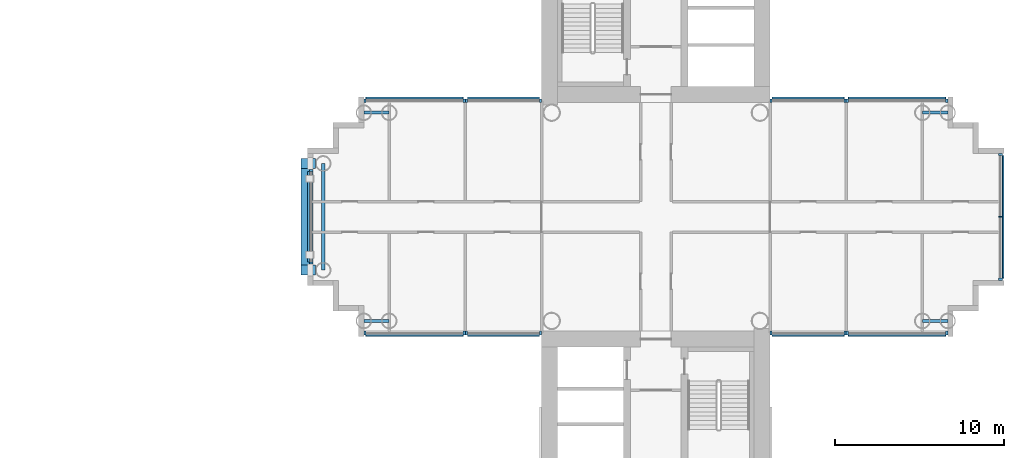
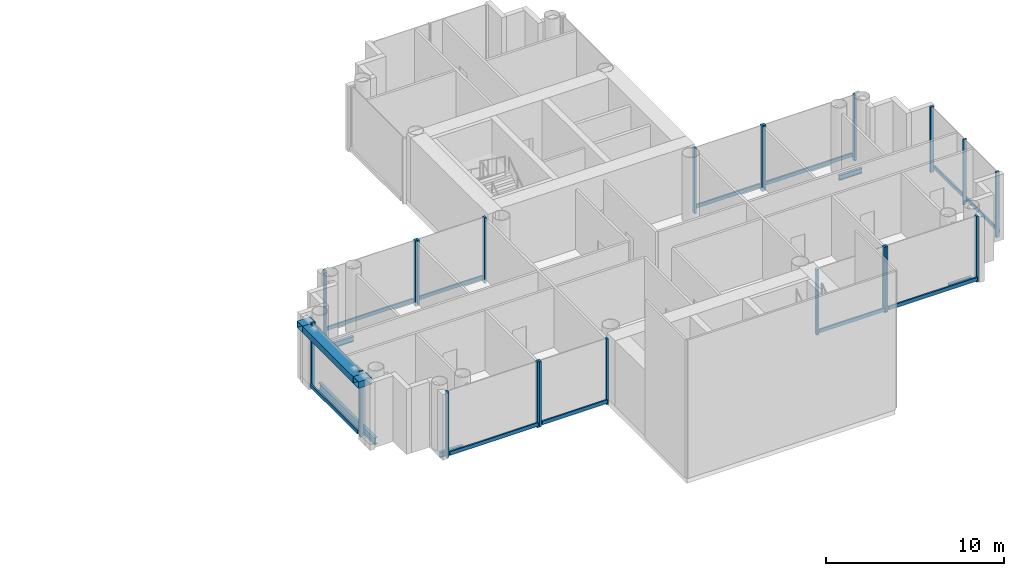
# One storey, part 6 of 20: 31 members, 8 beams, 10 elements without a shape of their own.
"""IFC4 building model written with IfcOpenShell, lengths in metres."""

from ifc_helpers import new_model, si_unit, direction, frame, origin, origin_2d, place, context, subcontext, project, spatial, rectangle, hollow_rectangle, i_section, extrude, material, layer, layer_set, material_profile, profile_set, type_object, element, aggregate, save


model = new_model("IFC4")

# Units and contexts
model_context = context("Model", 3, precision=1e-05, world=origin(), true_north=direction((0.0, 1.0)))
body_context = subcontext(model_context, "Body", "Model", "MODEL_VIEW")
ifc_project = project(units=[si_unit("LENGTHUNIT", "METRE"), si_unit("AREAUNIT", "SQUARE_METRE"), si_unit("VOLUMEUNIT", "CUBIC_METRE"), si_unit("PLANEANGLEUNIT", "RADIAN"), si_unit("MASSUNIT", "GRAM", prefix="KILO")], contexts=[model_context])

# Site, building, storey
site_placement = place(None, origin())
site = spatial("IfcSite", under=ifc_project, at=site_placement, CompositionType="ELEMENT")
building_placement = place(site_placement, origin())
building = spatial("IfcBuilding", under=site, at=building_placement, Name="Ipe Terrace Towers", CompositionType="ELEMENT")
storey_placement = place(building_placement, frame((0.0, 0.0, 124.199951171875)))
storey = spatial("IfcBuildingStorey", under=building, at=storey_placement, Name="L34", CompositionType="ELEMENT", Elevation=124.199951171875)

# Beams
ifc_material_1 = material(Name="Steel S355", Category="steel")
ifc_material_profile_1 = material_profile(ifc_material_1, hollow_rectangle(XDim=0.60009765625, YDim=0.449951171875, WallThickness=0.02490234375, at=origin_2d()), Name="BRIDGE-CORBEL BOX 600x450x25")
ifc_profile_set_1 = profile_set([ifc_material_profile_1], Name="Steel S355")
beam_type_1 = type_object("IfcBeamType", Name="BRIDGE-CORBEL BOX 600x450x25", PredefinedType="USERDEFINED", material=ifc_profile_set_1)
for number, where, z_axis, x_axis, name in (
    (1, (15.90087890625, -3.14990234375, 3.844970703125), (-1.0, 0.0, 0.0), (0.0, -1.0, 0.0), "BR2-CB-T2-S bearing seat arm"),
    (2, (15.90087890625, 3.14990234375, 3.844970703125), (-1.0, 0.0, 0.0), (0.0, -1.0, 0.0), "BR2-CB-T2-N bearing seat arm"),
):
    element("IfcBeam", number, at=place(storey_placement, frame(where, z_axis=z_axis, x_axis=x_axis)), inside=storey, type_object=beam_type_1, Name=name, ObjectType="CORBEL", PredefinedType="USERDEFINED", context=body_context, shape_type="SweptSolid", body=[
        extrude(hollow_rectangle(XDim=0.60009765625, YDim=0.449951171875, WallThickness=0.02490234375, at=origin_2d()), origin(), (0.0, 0.0, 1.0), 0.850830078125),
    ])
ifc_material_2 = material(Name="Steel S355", Category="steel")
ifc_material_profile_2 = material_profile(ifc_material_2, hollow_rectangle(XDim=0.699951171875, YDim=0.449951171875, WallThickness=0.02490234375, at=origin_2d()), Name="BRIDGE-SEAT BEAM BOX 700x450x25")
ifc_profile_set_2 = profile_set([ifc_material_profile_2], Name="Steel S355")
beam_type_2 = type_object("IfcBeamType", Name="BRIDGE-SEAT BEAM BOX 700x450x25", PredefinedType="USERDEFINED", material=ifc_profile_set_2)
beam_1_placement = place(storey_placement, frame((15.39990234375, -2.85009765625, 3.844970703125), z_axis=(0.0, 1.0, 0.0), x_axis=(-1.0, 0.0, 0.0)))
element("IfcBeam", 3, at=beam_1_placement, inside=storey, type_object=beam_type_2, Name="BR2-SB-T2 bearing seat beam", ObjectType="SEAT BEAM", PredefinedType="USERDEFINED", context=body_context, shape_type="SweptSolid", body=[
    extrude(hollow_rectangle(XDim=0.699951171875, YDim=0.449951171875, WallThickness=0.02490234375, at=origin_2d()), origin(), (0.0, 0.0, 1.0), 5.7001953125),
])
ifc_material_3 = material(Name="Steel S355", Category="steel")
ifc_material_profile_3 = material_profile(ifc_material_3, i_section(OverallWidth=0.175048828125, OverallDepth=0.35009765625, WebThickness=0.007080078125, FlangeThickness=0.010986328125, at=origin_2d()), Name="H-350x175x7x11")
ifc_profile_set_3 = profile_set([ifc_material_profile_3], Name="Steel S355")
beam_type_3 = type_object("IfcBeamType", Name="H04 EDGE BEAM H-350x175x7x11", PredefinedType="BEAM", material=ifc_profile_set_3)
for number, where, z_axis, x_axis, name in (
    (4, (20.25, 6.14990234375, -0.574951171875), (-1.0, 0.0, 0.0), (0.0, -1.0, 0.0), "Edge beam T2-EB-B03-B05"),
    (5, (20.25, -6.14990234375, -0.574951171875), (-1.0, 0.0, 0.0), (0.0, -1.0, 0.0), "Edge beam T2-EB-B04-B06"),
    (6, (51.75, -6.14990234375, -0.574951171875), (1.0, 0.0, 0.0), (0.0, 1.0, 0.0), "Edge beam T2-EB-D03-D05"),
    (7, (51.75, 6.14990234375, -0.574951171875), (1.0, 0.0, 0.0), (0.0, 1.0, 0.0), "Edge beam T2-EB-D04-D06"),
):
    element("IfcBeam", number, at=place(storey_placement, frame(where, z_axis=z_axis, x_axis=x_axis)), inside=storey, type_object=beam_type_3, Name=name, PredefinedType="BEAM", context=body_context, shape_type="SweptSolid", body=[
        extrude(i_section(OverallWidth=0.175048828125, OverallDepth=0.35009765625, WebThickness=0.007080078125, FlangeThickness=0.010986328125, at=origin_2d()), origin(), (0.0, 0.0, 1.0), 1.5),
    ])
ifc_material_4 = material(Name="Steel S355", Category="steel")
ifc_material_profile_4 = material_profile(ifc_material_4, i_section(OverallWidth=0.199951171875, OverallDepth=0.449951171875, WebThickness=0.009033203125, FlangeThickness=0.013916015625, at=origin_2d()), Name="H-450x200x9x14")
ifc_profile_set_4 = profile_set([ifc_material_profile_4], Name="Steel S355")
beam_type_4 = type_object("IfcBeamType", Name="H08 EDGE BEAM H-450x200x9x14", PredefinedType="BEAM", material=ifc_profile_set_4)
beam_2_placement = place(storey_placement, frame((16.35009765625, 3.14990234375, -0.625), z_axis=(0.0, -1.0, 0.0), x_axis=(1.0, 0.0, 0.0)))
element("IfcBeam", 8, at=beam_2_placement, inside=storey, type_object=beam_type_4, Name="Edge beam T2-EB-B07-B08", PredefinedType="BEAM", context=body_context, shape_type="SweptSolid", body=[
    extrude(i_section(OverallWidth=0.199951171875, OverallDepth=0.449951171875, WebThickness=0.009033203125, FlangeThickness=0.013916015625, at=origin_2d()), origin(), (0.0, 0.0, 1.0), 6.2998046875),
])

# Curtain wall, members
ifc_material_5 = material(Name="Aluminium alloy 6063-T6", Category="aluminium")
ifc_layer = layer(ifc_material_5, 0.320068359375)
ifc_layer_set = layer_set([ifc_layer], Name="PLANT LOUVRE CURTAIN WALL")
curtain_wall_type = type_object("IfcCurtainWallType", Name="PLANT LOUVRE CURTAIN WALL", PredefinedType="NOTDEFINED", material=ifc_layer_set)
curtain_wall_1_placement = place(storey_placement, origin())
curtain_wall_1 = element("IfcCurtainWall", 9, at=curtain_wall_1_placement, inside=storey, type_object=curtain_wall_type, Name="T2-CW-L34-02a curtain wall", PredefinedType="NOTDEFINED")
ifc_material_6 = material(Name="Aluminium alloy 6063-T6", Category="aluminium")
ifc_material_profile_5 = material_profile(ifc_material_6, rectangle(XDim=0.219970703125, YDim=0.1298828125, at=origin_2d()), Name="PLANT LOUVRE CORNER MULLION 220 x 130")
ifc_profile_set_5 = profile_set([ifc_material_profile_5], Name="Aluminium alloy 6063-T6")
member_type_1 = type_object("IfcMemberType", Name="PLANT LOUVRE CORNER MULLION 220 x 130", PredefinedType="MULLION", material=ifc_profile_set_5)
member_1_placement = place(storey_placement, frame((42.81494140625, -6.860107421875, -0.300048828125), z_axis=(0.0, 0.0, 1.0), x_axis=(0.0, -1.0, 0.0)))
member_1 = element("IfcMember", 10, at=member_1_placement, type_object=member_type_1, Name="T2-CW-L34-02a mullion 1", PredefinedType="MULLION", context=body_context, shape_type="SweptSolid", body=[
    extrude(rectangle(XDim=0.219970703125, YDim=0.1298828125, at=origin_2d()), origin(), (0.0, 0.0, 1.0), 4.5),
])
member_2_placement = place(storey_placement, frame((47.18505859375, -6.860107421875, -0.300048828125), z_axis=(0.0, 0.0, 1.0), x_axis=(0.0, -1.0, 0.0)))
member_2 = element("IfcMember", 11, at=member_2_placement, type_object=member_type_1, Name="T2-CW-L34-02a mullion 2", PredefinedType="MULLION", context=body_context, shape_type="SweptSolid", body=[
    extrude(rectangle(XDim=0.219970703125, YDim=0.1298828125, at=origin_2d()), origin(), (0.0, 0.0, 1.0), 4.5),
])

curtain_wall_2_placement = place(storey_placement, origin())
curtain_wall_2 = element("IfcCurtainWall", 12, at=curtain_wall_2_placement, inside=storey, type_object=curtain_wall_type, Name="T2-CW-L34-03a curtain wall", PredefinedType="NOTDEFINED")
member_3_placement = place(storey_placement, frame((47.31494140625, -6.860107421875, -0.300048828125), z_axis=(0.0, 0.0, 1.0), x_axis=(0.0, -1.0, 0.0)))
member_3 = element("IfcMember", 13, at=member_3_placement, type_object=member_type_1, Name="T2-CW-L34-03a mullion 1", PredefinedType="MULLION", context=body_context, shape_type="SweptSolid", body=[
    extrude(rectangle(XDim=0.219970703125, YDim=0.1298828125, at=origin_2d()), origin(), (0.0, 0.0, 1.0), 4.5),
])
member_4_placement = place(storey_placement, frame((53.18505859375, -6.860107421875, -0.300048828125), z_axis=(0.0, 0.0, 1.0), x_axis=(0.0, -1.0, 0.0)))
member_4 = element("IfcMember", 14, at=member_4_placement, type_object=member_type_1, Name="T2-CW-L34-03a mullion 2", PredefinedType="MULLION", context=body_context, shape_type="SweptSolid", body=[
    extrude(rectangle(XDim=0.219970703125, YDim=0.1298828125, at=origin_2d()), origin(), (0.0, 0.0, 1.0), 4.5),
])

curtain_wall_3_placement = place(storey_placement, origin())
curtain_wall_3 = element("IfcCurtainWall", 15, at=curtain_wall_3_placement, inside=storey, type_object=curtain_wall_type, Name="T2-CW-L34-08a curtain wall", PredefinedType="NOTDEFINED")
member_5_placement = place(storey_placement, frame((56.360107421875, -3.68505859375, -0.300048828125), z_axis=(0.0, 0.0, 1.0), x_axis=(1.0, 0.0, 0.0)))
member_5 = element("IfcMember", 16, at=member_5_placement, type_object=member_type_1, Name="T2-CW-L34-08a mullion 1", PredefinedType="MULLION", context=body_context, shape_type="SweptSolid", body=[
    extrude(rectangle(XDim=0.219970703125, YDim=0.1298828125, at=origin_2d()), origin(), (0.0, 0.0, 1.0), 4.5),
])
member_6_placement = place(storey_placement, frame((56.360107421875, 3.68505859375, -0.300048828125), z_axis=(0.0, 0.0, 1.0), x_axis=(1.0, 0.0, 0.0)))
member_6 = element("IfcMember", 17, at=member_6_placement, type_object=member_type_1, Name="T2-CW-L34-08a mullion 3", PredefinedType="MULLION", context=body_context, shape_type="SweptSolid", body=[
    extrude(rectangle(XDim=0.219970703125, YDim=0.1298828125, at=origin_2d()), origin(), (0.0, 0.0, 1.0), 4.5),
])

curtain_wall_4_placement = place(storey_placement, origin())
curtain_wall_4 = element("IfcCurtainWall", 18, at=curtain_wall_4_placement, inside=storey, type_object=curtain_wall_type, Name="T2-CW-L34-13a curtain wall", PredefinedType="NOTDEFINED")
member_7_placement = place(storey_placement, frame((53.18505859375, 6.860107421875, -0.300048828125), z_axis=(0.0, 0.0, 1.0), x_axis=(0.0, 1.0, 0.0)))
member_7 = element("IfcMember", 19, at=member_7_placement, type_object=member_type_1, Name="T2-CW-L34-13a mullion 1", PredefinedType="MULLION", context=body_context, shape_type="SweptSolid", body=[
    extrude(rectangle(XDim=0.219970703125, YDim=0.1298828125, at=origin_2d()), origin(), (0.0, 0.0, 1.0), 4.5),
])
member_8_placement = place(storey_placement, frame((47.31494140625, 6.860107421875, -0.300048828125), z_axis=(0.0, 0.0, 1.0), x_axis=(0.0, 1.0, 0.0)))
member_8 = element("IfcMember", 20, at=member_8_placement, type_object=member_type_1, Name="T2-CW-L34-13a mullion 2", PredefinedType="MULLION", context=body_context, shape_type="SweptSolid", body=[
    extrude(rectangle(XDim=0.219970703125, YDim=0.1298828125, at=origin_2d()), origin(), (0.0, 0.0, 1.0), 4.5),
])

curtain_wall_5_placement = place(storey_placement, origin())
curtain_wall_5 = element("IfcCurtainWall", 21, at=curtain_wall_5_placement, inside=storey, type_object=curtain_wall_type, Name="T2-CW-L34-14a curtain wall", PredefinedType="NOTDEFINED")
member_9_placement = place(storey_placement, frame((47.18505859375, 6.860107421875, -0.300048828125), z_axis=(0.0, 0.0, 1.0), x_axis=(0.0, 1.0, 0.0)))
member_9 = element("IfcMember", 22, at=member_9_placement, type_object=member_type_1, Name="T2-CW-L34-14a mullion 1", PredefinedType="MULLION", context=body_context, shape_type="SweptSolid", body=[
    extrude(rectangle(XDim=0.219970703125, YDim=0.1298828125, at=origin_2d()), origin(), (0.0, 0.0, 1.0), 4.5),
])
member_10_placement = place(storey_placement, frame((42.81494140625, 6.860107421875, -0.300048828125), z_axis=(0.0, 0.0, 1.0), x_axis=(0.0, 1.0, 0.0)))
member_10 = element("IfcMember", 23, at=member_10_placement, type_object=member_type_1, Name="T2-CW-L34-14a mullion 2", PredefinedType="MULLION", context=body_context, shape_type="SweptSolid", body=[
    extrude(rectangle(XDim=0.219970703125, YDim=0.1298828125, at=origin_2d()), origin(), (0.0, 0.0, 1.0), 4.5),
])

curtain_wall_6_placement = place(storey_placement, origin())
curtain_wall_6 = element("IfcCurtainWall", 24, at=curtain_wall_6_placement, inside=storey, type_object=curtain_wall_type, Name="T2-CW-L34-28a curtain wall", PredefinedType="NOTDEFINED")
member_11_placement = place(storey_placement, frame((29.18505859375, 6.860107421875, -0.300048828125), z_axis=(0.0, 0.0, 1.0), x_axis=(0.0, 1.0, 0.0)))
member_11 = element("IfcMember", 25, at=member_11_placement, type_object=member_type_1, Name="T2-CW-L34-28a mullion 1", PredefinedType="MULLION", context=body_context, shape_type="SweptSolid", body=[
    extrude(rectangle(XDim=0.219970703125, YDim=0.1298828125, at=origin_2d()), origin(), (0.0, 0.0, 1.0), 4.5),
])
member_12_placement = place(storey_placement, frame((24.81494140625, 6.860107421875, -0.300048828125), z_axis=(0.0, 0.0, 1.0), x_axis=(0.0, 1.0, 0.0)))
member_12 = element("IfcMember", 26, at=member_12_placement, type_object=member_type_1, Name="T2-CW-L34-28a mullion 2", PredefinedType="MULLION", context=body_context, shape_type="SweptSolid", body=[
    extrude(rectangle(XDim=0.219970703125, YDim=0.1298828125, at=origin_2d()), origin(), (0.0, 0.0, 1.0), 4.5),
])

curtain_wall_7_placement = place(storey_placement, origin())
curtain_wall_7 = element("IfcCurtainWall", 27, at=curtain_wall_7_placement, inside=storey, type_object=curtain_wall_type, Name="T2-CW-L34-29a curtain wall", PredefinedType="NOTDEFINED")
member_13_placement = place(storey_placement, frame((24.68505859375, 6.860107421875, -0.300048828125), z_axis=(0.0, 0.0, 1.0), x_axis=(0.0, 1.0, 0.0)))
member_13 = element("IfcMember", 28, at=member_13_placement, type_object=member_type_1, Name="T2-CW-L34-29a mullion 1", PredefinedType="MULLION", context=body_context, shape_type="SweptSolid", body=[
    extrude(rectangle(XDim=0.219970703125, YDim=0.1298828125, at=origin_2d()), origin(), (0.0, 0.0, 1.0), 4.5),
])
member_14_placement = place(storey_placement, frame((18.81494140625, 6.860107421875, -0.300048828125), z_axis=(0.0, 0.0, 1.0), x_axis=(0.0, 1.0, 0.0)))
member_14 = element("IfcMember", 29, at=member_14_placement, type_object=member_type_1, Name="T2-CW-L34-29a mullion 2", PredefinedType="MULLION", context=body_context, shape_type="SweptSolid", body=[
    extrude(rectangle(XDim=0.219970703125, YDim=0.1298828125, at=origin_2d()), origin(), (0.0, 0.0, 1.0), 4.5),
])

curtain_wall_8_placement = place(storey_placement, origin())
curtain_wall_8 = element("IfcCurtainWall", 30, at=curtain_wall_8_placement, inside=storey, type_object=curtain_wall_type, Name="T2-CW-L34-34d curtain wall", PredefinedType="NOTDEFINED")
member_15_placement = place(storey_placement, frame((15.639892578125, 2.735107421875, -0.300048828125), z_axis=(0.0, 0.0, 1.0), x_axis=(-1.0, 0.0, 0.0)))
member_15 = element("IfcMember", 31, at=member_15_placement, type_object=member_type_1, Name="T2-CW-L34-34d mullion 1", PredefinedType="MULLION", context=body_context, shape_type="SweptSolid", body=[
    extrude(rectangle(XDim=0.219970703125, YDim=0.1298828125, at=origin_2d()), origin(), (0.0, 0.0, 1.0), 4.5),
])
member_16_placement = place(storey_placement, frame((15.639892578125, -2.735107421875, -0.300048828125), z_axis=(0.0, 0.0, 1.0), x_axis=(-1.0, 0.0, 0.0)))
member_16 = element("IfcMember", 32, at=member_16_placement, type_object=member_type_1, Name="T2-CW-L34-34d mullion 2", PredefinedType="MULLION", context=body_context, shape_type="SweptSolid", body=[
    extrude(rectangle(XDim=0.219970703125, YDim=0.1298828125, at=origin_2d()), origin(), (0.0, 0.0, 1.0), 4.5),
])

curtain_wall_9_placement = place(storey_placement, origin())
curtain_wall_9 = element("IfcCurtainWall", 33, at=curtain_wall_9_placement, inside=storey, type_object=curtain_wall_type, Name="T2-CW-L34-39a curtain wall", PredefinedType="NOTDEFINED")
member_17_placement = place(storey_placement, frame((18.81494140625, -6.860107421875, -0.300048828125), z_axis=(0.0, 0.0, 1.0), x_axis=(0.0, -1.0, 0.0)))
member_17 = element("IfcMember", 34, at=member_17_placement, type_object=member_type_1, Name="T2-CW-L34-39a mullion 1", PredefinedType="MULLION", context=body_context, shape_type="SweptSolid", body=[
    extrude(rectangle(XDim=0.219970703125, YDim=0.1298828125, at=origin_2d()), origin(), (0.0, 0.0, 1.0), 4.5),
])
member_18_placement = place(storey_placement, frame((24.68505859375, -6.860107421875, -0.300048828125), z_axis=(0.0, 0.0, 1.0), x_axis=(0.0, -1.0, 0.0)))
member_18 = element("IfcMember", 35, at=member_18_placement, type_object=member_type_1, Name="T2-CW-L34-39a mullion 2", PredefinedType="MULLION", context=body_context, shape_type="SweptSolid", body=[
    extrude(rectangle(XDim=0.219970703125, YDim=0.1298828125, at=origin_2d()), origin(), (0.0, 0.0, 1.0), 4.5),
])

curtain_wall_10_placement = place(storey_placement, origin())
curtain_wall_10 = element("IfcCurtainWall", 36, at=curtain_wall_10_placement, inside=storey, type_object=curtain_wall_type, Name="T2-CW-L34-40a curtain wall", PredefinedType="NOTDEFINED")
member_19_placement = place(storey_placement, frame((24.81494140625, -6.860107421875, -0.300048828125), z_axis=(0.0, 0.0, 1.0), x_axis=(0.0, -1.0, 0.0)))
member_19 = element("IfcMember", 37, at=member_19_placement, type_object=member_type_1, Name="T2-CW-L34-40a mullion 1", PredefinedType="MULLION", context=body_context, shape_type="SweptSolid", body=[
    extrude(rectangle(XDim=0.219970703125, YDim=0.1298828125, at=origin_2d()), origin(), (0.0, 0.0, 1.0), 4.5),
])
member_20_placement = place(storey_placement, frame((29.18505859375, -6.860107421875, -0.300048828125), z_axis=(0.0, 0.0, 1.0), x_axis=(0.0, -1.0, 0.0)))
member_20 = element("IfcMember", 38, at=member_20_placement, type_object=member_type_1, Name="T2-CW-L34-40a mullion 2", PredefinedType="MULLION", context=body_context, shape_type="SweptSolid", body=[
    extrude(rectangle(XDim=0.219970703125, YDim=0.1298828125, at=origin_2d()), origin(), (0.0, 0.0, 1.0), 4.5),
])

# Member
ifc_material_7 = material(Name="Aluminium alloy 6063-T6", Category="aluminium")
ifc_material_profile_6 = material_profile(ifc_material_7, rectangle(XDim=0.219970703125, YDim=0.070068359375, at=origin_2d()), Name="PLANT LOUVRE MULLION 220 x 70")
ifc_profile_set_6 = profile_set([ifc_material_profile_6], Name="Aluminium alloy 6063-T6")
member_type_2 = type_object("IfcMemberType", Name="PLANT LOUVRE MULLION 220 x 70", PredefinedType="MULLION", material=ifc_profile_set_6)
member_21_placement = place(storey_placement, frame((56.360107421875, 0.0, -0.300048828125), z_axis=(0.0, 0.0, 1.0), x_axis=(1.0, 0.0, 0.0)))
member_21 = element("IfcMember", 39, at=member_21_placement, type_object=member_type_2, Name="T2-CW-L34-08a mullion 2", PredefinedType="MULLION", context=body_context, shape_type="SweptSolid", body=[
    extrude(rectangle(XDim=0.219970703125, YDim=0.070068359375, at=origin_2d()), origin(), (0.0, 0.0, 1.0), 4.5),
])

ifc_material_8 = material(Name="Aluminium alloy 6063-T6", Category="aluminium")
ifc_material_profile_7 = material_profile(ifc_material_8, rectangle(XDim=0.10009765625, YDim=0.239990234375, at=origin_2d()), Name="PLANT LOUVRE TRANSOM 100 x 240")
ifc_profile_set_7 = profile_set([ifc_material_profile_7], Name="Aluminium alloy 6063-T6")
member_type_3 = type_object("IfcMemberType", Name="PLANT LOUVRE TRANSOM 100 x 240", PredefinedType="USERDEFINED", material=ifc_profile_set_7)
member_22_placement = place(storey_placement, frame((42.8798828125, -7.02001953125, 0.0), z_axis=(1.0, 0.0, 0.0), x_axis=(0.0, -1.0, 0.0)))
member_22 = element("IfcMember", 40, at=member_22_placement, type_object=member_type_3, Name="T2-CW-L34-02a transom", ObjectType="TRANSOM", PredefinedType="USERDEFINED", context=body_context, shape_type="SweptSolid", body=[
    extrude(rectangle(XDim=0.10009765625, YDim=0.239990234375, at=origin_2d()), origin(), (0.0, 0.0, 1.0), 4.240234375),
])

aggregate(curtain_wall_1, [member_1, member_2, member_22])

member_23_placement = place(storey_placement, frame((47.3798828125, -7.02001953125, 0.0), z_axis=(1.0, 0.0, 0.0), x_axis=(0.0, -1.0, 0.0)))
member_23 = element("IfcMember", 41, at=member_23_placement, type_object=member_type_3, Name="T2-CW-L34-03a transom", ObjectType="TRANSOM", PredefinedType="USERDEFINED", context=body_context, shape_type="SweptSolid", body=[
    extrude(rectangle(XDim=0.10009765625, YDim=0.239990234375, at=origin_2d()), origin(), (0.0, 0.0, 1.0), 5.740234375),
])

aggregate(curtain_wall_2, [member_3, member_4, member_23])

member_24_placement = place(storey_placement, frame((56.52001953125, -3.6201171875, 0.0), z_axis=(0.0, 1.0, 0.0), x_axis=(1.0, 0.0, 0.0)))
member_24 = element("IfcMember", 42, at=member_24_placement, type_object=member_type_3, Name="T2-CW-L34-08a transom", ObjectType="TRANSOM", PredefinedType="USERDEFINED", context=body_context, shape_type="SweptSolid", body=[
    extrude(rectangle(XDim=0.10009765625, YDim=0.239990234375, at=origin_2d()), origin(), (0.0, 0.0, 1.0), 7.240234375),
])

aggregate(curtain_wall_3, [member_5, member_21, member_6, member_24])

member_25_placement = place(storey_placement, frame((53.1201171875, 7.02001953125, 0.0), z_axis=(-1.0, 0.0, 0.0), x_axis=(0.0, 1.0, 0.0)))
member_25 = element("IfcMember", 43, at=member_25_placement, type_object=member_type_3, Name="T2-CW-L34-13a transom", ObjectType="TRANSOM", PredefinedType="USERDEFINED", context=body_context, shape_type="SweptSolid", body=[
    extrude(rectangle(XDim=0.10009765625, YDim=0.239990234375, at=origin_2d()), origin(), (0.0, 0.0, 1.0), 5.740234375),
])

aggregate(curtain_wall_4, [member_7, member_8, member_25])

member_26_placement = place(storey_placement, frame((47.1201171875, 7.02001953125, 0.0), z_axis=(-1.0, 0.0, 0.0), x_axis=(0.0, 1.0, 0.0)))
member_26 = element("IfcMember", 44, at=member_26_placement, type_object=member_type_3, Name="T2-CW-L34-14a transom", ObjectType="TRANSOM", PredefinedType="USERDEFINED", context=body_context, shape_type="SweptSolid", body=[
    extrude(rectangle(XDim=0.10009765625, YDim=0.239990234375, at=origin_2d()), origin(), (0.0, 0.0, 1.0), 4.240234375),
])

aggregate(curtain_wall_5, [member_9, member_10, member_26])

member_27_placement = place(storey_placement, frame((29.1201171875, 7.02001953125, 0.0), z_axis=(-1.0, 0.0, 0.0), x_axis=(0.0, 1.0, 0.0)))
member_27 = element("IfcMember", 45, at=member_27_placement, type_object=member_type_3, Name="T2-CW-L34-28a transom", ObjectType="TRANSOM", PredefinedType="USERDEFINED", context=body_context, shape_type="SweptSolid", body=[
    extrude(rectangle(XDim=0.10009765625, YDim=0.239990234375, at=origin_2d()), origin(), (0.0, 0.0, 1.0), 4.240234375),
])

aggregate(curtain_wall_6, [member_11, member_12, member_27])

member_28_placement = place(storey_placement, frame((24.6201171875, 7.02001953125, 0.0), z_axis=(-1.0, 0.0, 0.0), x_axis=(0.0, 1.0, 0.0)))
member_28 = element("IfcMember", 46, at=member_28_placement, type_object=member_type_3, Name="T2-CW-L34-29a transom", ObjectType="TRANSOM", PredefinedType="USERDEFINED", context=body_context, shape_type="SweptSolid", body=[
    extrude(rectangle(XDim=0.10009765625, YDim=0.239990234375, at=origin_2d()), origin(), (0.0, 0.0, 1.0), 5.740234375),
])

aggregate(curtain_wall_7, [member_13, member_14, member_28])

member_29_placement = place(storey_placement, frame((15.47998046875, 2.669921875, 0.0), z_axis=(0.0, -1.0, 0.0), x_axis=(-1.0, 0.0, 0.0)))
member_29 = element("IfcMember", 47, at=member_29_placement, type_object=member_type_3, Name="T2-CW-L34-34d transom", ObjectType="TRANSOM", PredefinedType="USERDEFINED", context=body_context, shape_type="SweptSolid", body=[
    extrude(rectangle(XDim=0.10009765625, YDim=0.239990234375, at=origin_2d()), origin(), (0.0, 0.0, 1.0), 5.33984375),
])

aggregate(curtain_wall_8, [member_15, member_16, member_29])

member_30_placement = place(storey_placement, frame((18.8798828125, -7.02001953125, 0.0), z_axis=(1.0, 0.0, 0.0), x_axis=(0.0, -1.0, 0.0)))
member_30 = element("IfcMember", 48, at=member_30_placement, type_object=member_type_3, Name="T2-CW-L34-39a transom", ObjectType="TRANSOM", PredefinedType="USERDEFINED", context=body_context, shape_type="SweptSolid", body=[
    extrude(rectangle(XDim=0.10009765625, YDim=0.239990234375, at=origin_2d()), origin(), (0.0, 0.0, 1.0), 5.740234375),
])

aggregate(curtain_wall_9, [member_17, member_18, member_30])

member_31_placement = place(storey_placement, frame((24.8798828125, -7.02001953125, 0.0), z_axis=(1.0, 0.0, 0.0), x_axis=(0.0, -1.0, 0.0)))
member_31 = element("IfcMember", 49, at=member_31_placement, type_object=member_type_3, Name="T2-CW-L34-40a transom", ObjectType="TRANSOM", PredefinedType="USERDEFINED", context=body_context, shape_type="SweptSolid", body=[
    extrude(rectangle(XDim=0.10009765625, YDim=0.239990234375, at=origin_2d()), origin(), (0.0, 0.0, 1.0), 4.240234375),
])

aggregate(curtain_wall_10, [member_19, member_20, member_31])

save(model, "model.ifc")
